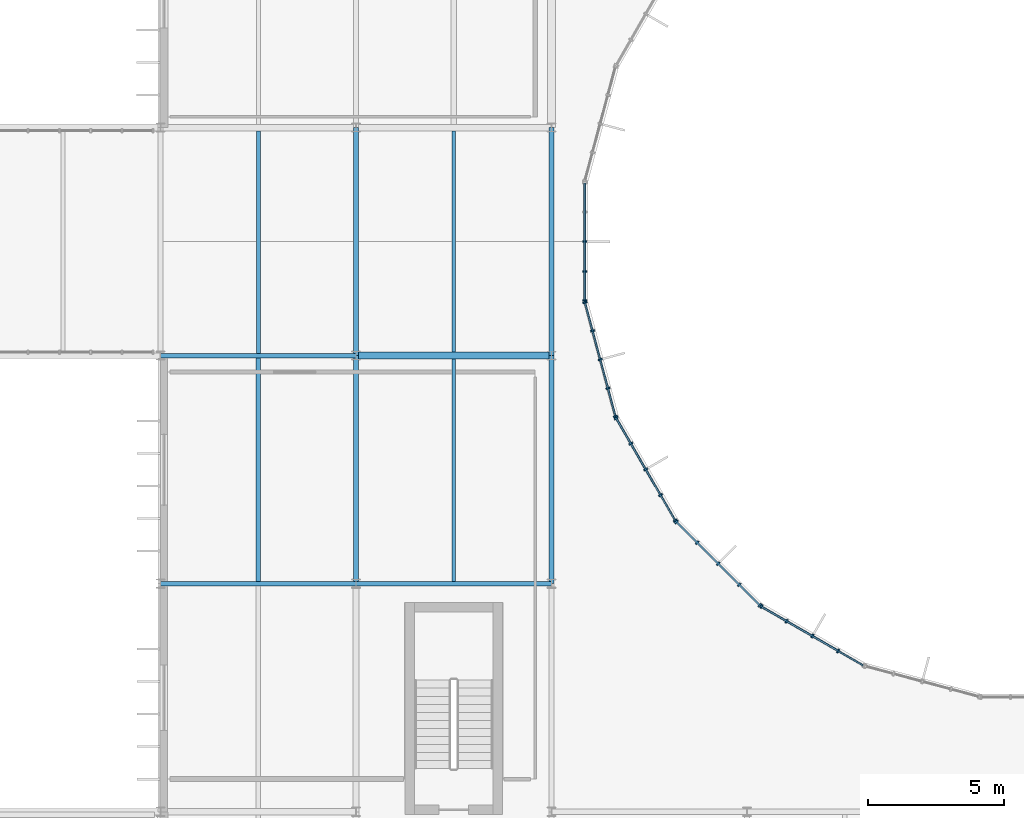
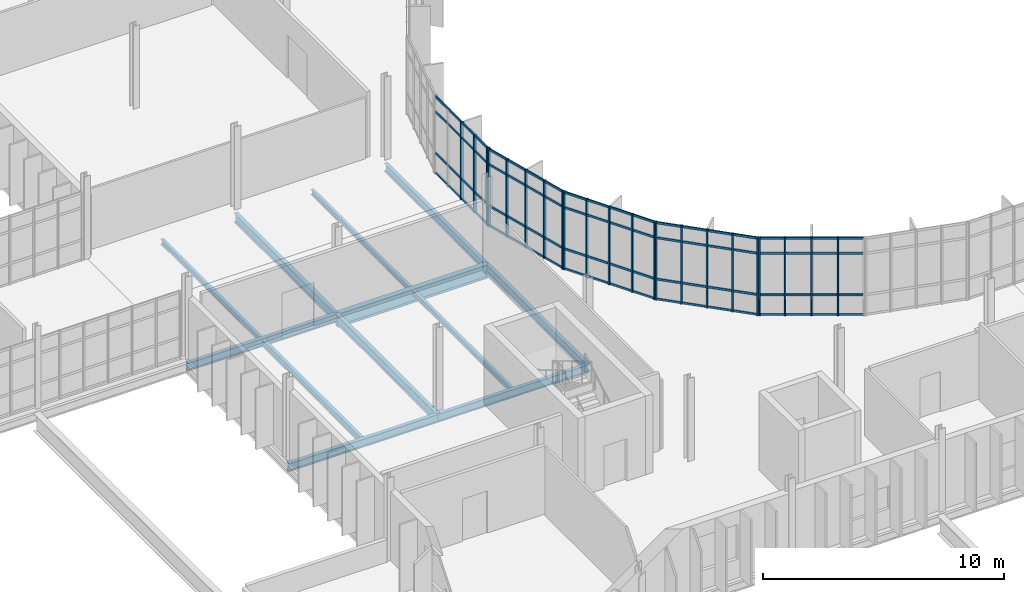
# One storey, part 36 of 99: 42 members, 12 beams, 5 elements without a shape of their own.
"""IFC4 building model written with IfcOpenShell, lengths in metres."""

from ifc_helpers import new_model, si_unit, direction, frame, origin, origin_2d, place, context, subcontext, project, spatial, rectangle, i_section, extrude, material, material_profile, profile_set, type_object, element, aggregate, save


model = new_model("IFC4")

# Units and contexts
model_context = context("Model", 3, precision=1e-05, world=origin(), true_north=direction((0.0, 1.0)))
body_context = subcontext(model_context, "Body", "Model", "MODEL_VIEW")
ifc_project = project(units=[si_unit("LENGTHUNIT", "METRE"), si_unit("AREAUNIT", "SQUARE_METRE"), si_unit("VOLUMEUNIT", "CUBIC_METRE"), si_unit("PLANEANGLEUNIT", "RADIAN"), si_unit("MASSUNIT", "GRAM", prefix="KILO")], contexts=[model_context])

# Site, building, storey
site_placement = place(None, origin())
site = spatial("IfcSite", under=ifc_project, at=site_placement, CompositionType="ELEMENT")
building_placement = place(site_placement, origin())
building = spatial("IfcBuilding", under=site, at=building_placement, Name="Qelthora Terrace Specialist Clinic", CompositionType="ELEMENT")
storey_placement = place(building_placement, frame((0.0, 0.0, 9.0)))
storey = spatial("IfcBuildingStorey", under=building, at=storey_placement, Name="L02", CompositionType="ELEMENT", Elevation=9.0)

# Beams
ifc_material_1 = material(Name="Steel S355", Category="steel")
ifc_material_profile_1 = material_profile(ifc_material_1, i_section(OverallWidth=0.178955078125, OverallDepth=0.409912109375, WebThickness=0.0087890625, FlangeThickness=0.014404296875, FilletRadius=0.011962890625, at=origin_2d()), Name="W410X67")
ifc_profile_set_1 = profile_set([ifc_material_profile_1], Name="Steel S355")
beam_type_1 = type_object("IfcBeamType", Name="BM-W410X67", PredefinedType="BEAM", material=ifc_profile_set_1)
for number, where, z_axis, x_axis, name in (
    (1, (100.800048828125, 50.39990234375, -0.455078125), (1.0, 0.0, 0.0), (0.0, 1.0, 0.0), "Girder BMX-L02-0628"),
    (2, (93.60009765625, 58.800048828125, -0.455078125), (1.0, 0.0, 0.0), (0.0, 1.0, 0.0), "Girder BMX-L02-0644"),
):
    element("IfcBeam", number, at=place(storey_placement, frame(where, z_axis=z_axis, x_axis=x_axis)), inside=storey, type_object=beam_type_1, Name=name, PredefinedType="BEAM", context=body_context, shape_type="SweptSolid", body=[
        extrude(i_section(OverallWidth=0.178955078125, OverallDepth=0.409912109375, WebThickness=0.0087890625, FlangeThickness=0.014404296875, FilletRadius=0.011962890625, at=origin_2d()), origin(), (0.0, 0.0, 1.0), 7.199951171875),
    ])
beam_1_placement = place(storey_placement, frame((108.0, 58.800048828125, -0.455078125), z_axis=(0.0, 1.0, 0.0), x_axis=(-1.0, 0.0, 0.0)))
element("IfcBeam", 3, at=beam_1_placement, inside=storey, type_object=beam_type_1, Name="Girder BMY-L02-0860", PredefinedType="BEAM", context=body_context, shape_type="SweptSolid", body=[
    extrude(i_section(OverallWidth=0.178955078125, OverallDepth=0.409912109375, WebThickness=0.0087890625, FlangeThickness=0.014404296875, FilletRadius=0.011962890625, at=origin_2d()), origin(), (0.0, 0.0, 1.0), 8.39990234375),
])
ifc_material_profile_2 = material_profile(ifc_material_1, i_section(OverallWidth=0.179931640625, OverallDepth=0.4130859375, WebThickness=0.009765625, FlangeThickness=0.01611328125, FilletRadius=0.011962890625, at=origin_2d()), Name="W410X75")
ifc_profile_set_2 = profile_set([ifc_material_profile_2], Name="Steel S355")
beam_type_2 = type_object("IfcBeamType", Name="BM-W410X75", PredefinedType="BEAM", material=ifc_profile_set_2)
beam_2_placement = place(storey_placement, frame((93.60009765625, 50.39990234375, -0.45654296875), z_axis=(1.0, 0.0, 0.0), x_axis=(0.0, 1.0, 0.0)))
element("IfcBeam", 4, at=beam_2_placement, inside=storey, type_object=beam_type_2, Name="Girder BMX-L02-0627", PredefinedType="BEAM", context=body_context, shape_type="SweptSolid", body=[
    extrude(i_section(OverallWidth=0.179931640625, OverallDepth=0.4130859375, WebThickness=0.009765625, FlangeThickness=0.01611328125, FilletRadius=0.011962890625, at=origin_2d()), origin(), (0.0, 0.0, 1.0), 7.199951171875),
])
beam_3_placement = place(storey_placement, frame((108.0, 50.39990234375, -0.45654296875), z_axis=(0.0, 1.0, 0.0), x_axis=(-1.0, 0.0, 0.0)))
element("IfcBeam", 5, at=beam_3_placement, inside=storey, type_object=beam_type_2, Name="Girder BMY-L02-0859", PredefinedType="BEAM", context=body_context, shape_type="SweptSolid", body=[
    extrude(i_section(OverallWidth=0.179931640625, OverallDepth=0.4130859375, WebThickness=0.009765625, FlangeThickness=0.01611328125, FilletRadius=0.011962890625, at=origin_2d()), origin(), (0.0, 0.0, 1.0), 8.400146484375),
])
ifc_material_profile_3 = material_profile(ifc_material_1, i_section(OverallWidth=0.19091796875, OverallDepth=0.4599609375, WebThickness=0.010009765625, FlangeThickness=0.01611328125, FilletRadius=0.012939453125, at=origin_2d()), Name="W460X82")
ifc_profile_set_3 = profile_set([ifc_material_profile_3], Name="Steel S355")
beam_type_3 = type_object("IfcBeamType", Name="BM-W460X82", PredefinedType="BEAM", material=ifc_profile_set_3)
beam_4_placement = place(storey_placement, frame((100.800048828125, 58.800048828125, -0.47998046875), z_axis=(0.0, 1.0, 0.0), x_axis=(-1.0, 0.0, 0.0)))
element("IfcBeam", 6, at=beam_4_placement, inside=storey, type_object=beam_type_3, Name="Girder BMY-L02-0848", PredefinedType="BEAM", context=body_context, shape_type="SweptSolid", body=[
    extrude(i_section(OverallWidth=0.19091796875, OverallDepth=0.4599609375, WebThickness=0.010009765625, FlangeThickness=0.01611328125, FilletRadius=0.012939453125, at=origin_2d()), origin(), (0.0, 0.0, 1.0), 8.39990234375),
])
ifc_material_profile_4 = material_profile(ifc_material_1, i_section(OverallWidth=0.193115234375, OverallDepth=0.466064453125, WebThickness=0.011474609375, FlangeThickness=0.01904296875, FilletRadius=0.012939453125, at=origin_2d()), Name="W460X97")
ifc_profile_set_4 = profile_set([ifc_material_profile_4], Name="Steel S355")
beam_type_4 = type_object("IfcBeamType", Name="BM-W460X97", PredefinedType="BEAM", material=ifc_profile_set_4)
beam_5_placement = place(storey_placement, frame((100.800048828125, 50.39990234375, -0.48291015625), z_axis=(0.0, 1.0, 0.0), x_axis=(-1.0, 0.0, 0.0)))
element("IfcBeam", 7, at=beam_5_placement, inside=storey, type_object=beam_type_4, Name="Girder BMY-L02-0847", PredefinedType="BEAM", context=body_context, shape_type="SweptSolid", body=[
    extrude(i_section(OverallWidth=0.193115234375, OverallDepth=0.466064453125, WebThickness=0.011474609375, FlangeThickness=0.01904296875, FilletRadius=0.012939453125, at=origin_2d()), origin(), (0.0, 0.0, 1.0), 8.400146484375),
])
ifc_material_profile_5 = material_profile(ifc_material_1, i_section(OverallWidth=0.256103515625, OverallDepth=0.693115234375, WebThickness=0.014404296875, FlangeThickness=0.023681640625, FilletRadius=0.01806640625, at=origin_2d()), Name="W690X170")
ifc_profile_set_5 = profile_set([ifc_material_profile_5], Name="Steel S355")
beam_type_5 = type_object("IfcBeamType", Name="BM-W690X170", PredefinedType="BEAM", material=ifc_profile_set_5)
beam_6_placement = place(storey_placement, frame((100.800048828125, 58.800048828125, -0.596435546875), z_axis=(1.0, 0.0, 0.0), x_axis=(0.0, 1.0, 0.0)))
element("IfcBeam", 8, at=beam_6_placement, inside=storey, type_object=beam_type_5, Name="Girder BMX-L02-0645", PredefinedType="BEAM", context=body_context, shape_type="SweptSolid", body=[
    extrude(i_section(OverallWidth=0.256103515625, OverallDepth=0.693115234375, WebThickness=0.014404296875, FlangeThickness=0.023681640625, FilletRadius=0.01806640625, at=origin_2d()), origin(), (0.0, 0.0, 1.0), 7.199951171875),
])

# Curtain wall, members
ifc_material_2 = material(Name="Aluminium anodized bronze", Category="aluminium")
curtain_wall_type = type_object("IfcCurtainWallType", Name="CW-CRTE-UPP", PredefinedType="NOTDEFINED", material=ifc_material_2)
curtain_wall_1_placement = place(storey_placement, origin())
curtain_wall_1 = element("IfcCurtainWall", 9, at=curtain_wall_1_placement, inside=storey, type_object=curtain_wall_type, Name="Curtain wall CW-CE-L02-12", PredefinedType="NOTDEFINED")
ifc_material_profile_6 = material_profile(ifc_material_2, rectangle(XDim=0.06005859375, YDim=0.14990234375, at=origin_2d()), Name="CWM60X150")
ifc_profile_set_6 = profile_set([ifc_material_profile_6], Name="Aluminium anodized bronze")
member_type_1 = type_object("IfcMemberType", Name="CWM-60X150", PredefinedType="MULLION", material=ifc_profile_set_6)
member_1_placement = place(storey_placement, frame((109.2236328125, 63.0, 0.0), z_axis=(0.0, 0.0, 1.0), x_axis=(0.0, -1.0, 0.0)))
member_1 = element("IfcMember", 10, at=member_1_placement, type_object=member_type_1, Name="CW-CE-L02-12 mullion 3", PredefinedType="MULLION", context=body_context, shape_type="SweptSolid", body=[
    extrude(rectangle(XDim=0.06005859375, YDim=0.14990234375, at=origin_2d()), origin(), (0.0, 0.0, 1.0), 3.945068359375),
])
member_2_placement = place(storey_placement, frame((109.2236328125, 61.903564453125, 0.0), z_axis=(0.0, 0.0, 1.0), x_axis=(0.0, -1.0, 0.0)))
member_2 = element("IfcMember", 11, at=member_2_placement, type_object=member_type_1, Name="CW-CE-L02-12 mullion 4", PredefinedType="MULLION", context=body_context, shape_type="SweptSolid", body=[
    extrude(rectangle(XDim=0.06005859375, YDim=0.14990234375, at=origin_2d()), origin(), (0.0, 0.0, 1.0), 3.945068359375),
])
member_3_placement = place(storey_placement, frame((109.2236328125, 60.8271484375, 0.0), z_axis=(0.0, 0.0, 1.0), x_axis=(0.0, -1.0, 0.0)))
member_3 = element("IfcMember", 12, at=member_3_placement, type_object=member_type_1, Name="CW-CE-L02-12 mullion 5", PredefinedType="MULLION", context=body_context, shape_type="SweptSolid", body=[
    extrude(rectangle(XDim=0.06005859375, YDim=0.14990234375, at=origin_2d()), origin(), (0.0, 0.0, 1.0), 3.945068359375),
])

curtain_wall_2_placement = place(storey_placement, origin())
curtain_wall_2 = element("IfcCurtainWall", 13, at=curtain_wall_2_placement, inside=storey, type_object=curtain_wall_type, Name="Curtain wall CW-CE-L02-13", PredefinedType="NOTDEFINED")
member_4_placement = place(storey_placement, frame((109.23291015625, 60.7568359375, 0.0), z_axis=(0.0, 0.0, 1.0), x_axis=(0.258819664824, -0.965925660235, 0.0)))
member_4 = element("IfcMember", 14, at=member_4_placement, type_object=member_type_1, Name="CW-CE-L02-13 mullion 1", PredefinedType="MULLION", context=body_context, shape_type="SweptSolid", body=[
    extrude(rectangle(XDim=0.06005859375, YDim=0.14990234375, at=origin_2d()), origin(), (0.0, 0.0, 1.0), 3.945068359375),
])
member_5_placement = place(storey_placement, frame((109.511474609375, 59.717041015625, 0.0), z_axis=(0.0, 0.0, 1.0), x_axis=(0.258819664824, -0.965925660235, 0.0)))
member_5 = element("IfcMember", 15, at=member_5_placement, type_object=member_type_1, Name="CW-CE-L02-13 mullion 2", PredefinedType="MULLION", context=body_context, shape_type="SweptSolid", body=[
    extrude(rectangle(XDim=0.06005859375, YDim=0.14990234375, at=origin_2d()), origin(), (0.0, 0.0, 1.0), 3.945068359375),
])
member_6_placement = place(storey_placement, frame((109.79541015625, 58.657958984375, 0.0), z_axis=(0.0, 0.0, 1.0), x_axis=(0.258819664824, -0.965925660235, 0.0)))
member_6 = element("IfcMember", 16, at=member_6_placement, type_object=member_type_1, Name="CW-CE-L02-13 mullion 3", PredefinedType="MULLION", context=body_context, shape_type="SweptSolid", body=[
    extrude(rectangle(XDim=0.06005859375, YDim=0.14990234375, at=origin_2d()), origin(), (0.0, 0.0, 1.0), 3.945068359375),
])
member_7_placement = place(storey_placement, frame((110.0791015625, 57.598876953125, 0.0), z_axis=(0.0, 0.0, 1.0), x_axis=(0.258819664824, -0.965925660235, 0.0)))
member_7 = element("IfcMember", 17, at=member_7_placement, type_object=member_type_1, Name="CW-CE-L02-13 mullion 4", PredefinedType="MULLION", context=body_context, shape_type="SweptSolid", body=[
    extrude(rectangle(XDim=0.06005859375, YDim=0.14990234375, at=origin_2d()), origin(), (0.0, 0.0, 1.0), 3.945068359375),
])
member_8_placement = place(storey_placement, frame((110.357666015625, 56.55908203125, 0.0), z_axis=(0.0, 0.0, 1.0), x_axis=(0.258819664824, -0.965925660235, 0.0)))
member_8 = element("IfcMember", 18, at=member_8_placement, type_object=member_type_1, Name="CW-CE-L02-13 mullion 5", PredefinedType="MULLION", context=body_context, shape_type="SweptSolid", body=[
    extrude(rectangle(XDim=0.06005859375, YDim=0.14990234375, at=origin_2d()), origin(), (0.0, 0.0, 1.0), 3.945068359375),
])

curtain_wall_3_placement = place(storey_placement, origin())
curtain_wall_3 = element("IfcCurtainWall", 19, at=curtain_wall_3_placement, inside=storey, type_object=curtain_wall_type, Name="Curtain wall CW-CE-L02-14", PredefinedType="NOTDEFINED")
member_9_placement = place(storey_placement, frame((110.385009765625, 56.49365234375, 0.0), z_axis=(0.0, 0.0, 1.0), x_axis=(0.500000028915, -0.86602538709, 0.0)))
member_9 = element("IfcMember", 20, at=member_9_placement, type_object=member_type_1, Name="CW-CE-L02-14 mullion 1", PredefinedType="MULLION", context=body_context, shape_type="SweptSolid", body=[
    extrude(rectangle(XDim=0.06005859375, YDim=0.14990234375, at=origin_2d()), origin(), (0.0, 0.0, 1.0), 3.945068359375),
])
member_10_placement = place(storey_placement, frame((110.923095703125, 55.561279296875, 0.0), z_axis=(0.0, 0.0, 1.0), x_axis=(0.500000028915, -0.86602538709, 0.0)))
member_10 = element("IfcMember", 21, at=member_10_placement, type_object=member_type_1, Name="CW-CE-L02-14 mullion 2", PredefinedType="MULLION", context=body_context, shape_type="SweptSolid", body=[
    extrude(rectangle(XDim=0.06005859375, YDim=0.14990234375, at=origin_2d()), origin(), (0.0, 0.0, 1.0), 3.945068359375),
])
member_11_placement = place(storey_placement, frame((111.471435546875, 54.61181640625, 0.0), z_axis=(0.0, 0.0, 1.0), x_axis=(0.500000028915, -0.86602538709, 0.0)))
member_11 = element("IfcMember", 22, at=member_11_placement, type_object=member_type_1, Name="CW-CE-L02-14 mullion 3", PredefinedType="MULLION", context=body_context, shape_type="SweptSolid", body=[
    extrude(rectangle(XDim=0.06005859375, YDim=0.14990234375, at=origin_2d()), origin(), (0.0, 0.0, 1.0), 3.945068359375),
])
member_12_placement = place(storey_placement, frame((112.01953125, 53.662353515625, 0.0), z_axis=(0.0, 0.0, 1.0), x_axis=(0.500000028915, -0.86602538709, 0.0)))
member_12 = element("IfcMember", 23, at=member_12_placement, type_object=member_type_1, Name="CW-CE-L02-14 mullion 4", PredefinedType="MULLION", context=body_context, shape_type="SweptSolid", body=[
    extrude(rectangle(XDim=0.06005859375, YDim=0.14990234375, at=origin_2d()), origin(), (0.0, 0.0, 1.0), 3.945068359375),
])
member_13_placement = place(storey_placement, frame((112.557861328125, 52.730224609375, 0.0), z_axis=(0.0, 0.0, 1.0), x_axis=(0.500000028915, -0.86602538709, 0.0)))
member_13 = element("IfcMember", 24, at=member_13_placement, type_object=member_type_1, Name="CW-CE-L02-14 mullion 5", PredefinedType="MULLION", context=body_context, shape_type="SweptSolid", body=[
    extrude(rectangle(XDim=0.06005859375, YDim=0.14990234375, at=origin_2d()), origin(), (0.0, 0.0, 1.0), 3.945068359375),
])

curtain_wall_4_placement = place(storey_placement, origin())
curtain_wall_4 = element("IfcCurtainWall", 25, at=curtain_wall_4_placement, inside=storey, type_object=curtain_wall_type, Name="Curtain wall CW-CE-L02-15", PredefinedType="NOTDEFINED")
member_14_placement = place(storey_placement, frame((112.600830078125, 52.673828125, 0.0), z_axis=(0.0, 0.0, 1.0), x_axis=(0.707106781187, -0.707106781187, 0.0)))
member_14 = element("IfcMember", 26, at=member_14_placement, type_object=member_type_1, Name="CW-CE-L02-15 mullion 1", PredefinedType="MULLION", context=body_context, shape_type="SweptSolid", body=[
    extrude(rectangle(XDim=0.06005859375, YDim=0.14990234375, at=origin_2d()), origin(), (0.0, 0.0, 1.0), 3.945068359375),
])
member_15_placement = place(storey_placement, frame((113.362060546875, 51.91259765625, 0.0), z_axis=(0.0, 0.0, 1.0), x_axis=(0.707106781187, -0.707106781187, 0.0)))
member_15 = element("IfcMember", 27, at=member_15_placement, type_object=member_type_1, Name="CW-CE-L02-15 mullion 2", PredefinedType="MULLION", context=body_context, shape_type="SweptSolid", body=[
    extrude(rectangle(XDim=0.06005859375, YDim=0.14990234375, at=origin_2d()), origin(), (0.0, 0.0, 1.0), 3.945068359375),
])
member_16_placement = place(storey_placement, frame((114.137451171875, 51.137451171875, 0.0), z_axis=(0.0, 0.0, 1.0), x_axis=(0.707106781187, -0.707106781187, 0.0)))
member_16 = element("IfcMember", 28, at=member_16_placement, type_object=member_type_1, Name="CW-CE-L02-15 mullion 3", PredefinedType="MULLION", context=body_context, shape_type="SweptSolid", body=[
    extrude(rectangle(XDim=0.06005859375, YDim=0.14990234375, at=origin_2d()), origin(), (0.0, 0.0, 1.0), 3.945068359375),
])
member_17_placement = place(storey_placement, frame((114.91259765625, 50.362060546875, 0.0), z_axis=(0.0, 0.0, 1.0), x_axis=(0.707106781187, -0.707106781187, 0.0)))
member_17 = element("IfcMember", 29, at=member_17_placement, type_object=member_type_1, Name="CW-CE-L02-15 mullion 4", PredefinedType="MULLION", context=body_context, shape_type="SweptSolid", body=[
    extrude(rectangle(XDim=0.06005859375, YDim=0.14990234375, at=origin_2d()), origin(), (0.0, 0.0, 1.0), 3.945068359375),
])
member_18_placement = place(storey_placement, frame((115.673828125, 49.600830078125, 0.0), z_axis=(0.0, 0.0, 1.0), x_axis=(0.707106781187, -0.707106781187, 0.0)))
member_18 = element("IfcMember", 30, at=member_18_placement, type_object=member_type_1, Name="CW-CE-L02-15 mullion 5", PredefinedType="MULLION", context=body_context, shape_type="SweptSolid", body=[
    extrude(rectangle(XDim=0.06005859375, YDim=0.14990234375, at=origin_2d()), origin(), (0.0, 0.0, 1.0), 3.945068359375),
])

curtain_wall_5_placement = place(storey_placement, origin())
curtain_wall_5 = element("IfcCurtainWall", 31, at=curtain_wall_5_placement, inside=storey, type_object=curtain_wall_type, Name="Curtain wall CW-CE-L02-16", PredefinedType="NOTDEFINED")
member_19_placement = place(storey_placement, frame((115.730224609375, 49.557861328125, 0.0), z_axis=(0.0, 0.0, 1.0), x_axis=(0.86602538709, -0.500000028915, 0.0)))
member_19 = element("IfcMember", 32, at=member_19_placement, type_object=member_type_1, Name="CW-CE-L02-16 mullion 1", PredefinedType="MULLION", context=body_context, shape_type="SweptSolid", body=[
    extrude(rectangle(XDim=0.06005859375, YDim=0.14990234375, at=origin_2d()), origin(), (0.0, 0.0, 1.0), 3.945068359375),
])
member_20_placement = place(storey_placement, frame((116.662353515625, 49.01953125, 0.0), z_axis=(0.0, 0.0, 1.0), x_axis=(0.86602538709, -0.500000028915, 0.0)))
member_20 = element("IfcMember", 33, at=member_20_placement, type_object=member_type_1, Name="CW-CE-L02-16 mullion 2", PredefinedType="MULLION", context=body_context, shape_type="SweptSolid", body=[
    extrude(rectangle(XDim=0.06005859375, YDim=0.14990234375, at=origin_2d()), origin(), (0.0, 0.0, 1.0), 3.945068359375),
])
member_21_placement = place(storey_placement, frame((117.61181640625, 48.471435546875, 0.0), z_axis=(0.0, 0.0, 1.0), x_axis=(0.86602538709, -0.500000028915, 0.0)))
member_21 = element("IfcMember", 34, at=member_21_placement, type_object=member_type_1, Name="CW-CE-L02-16 mullion 3", PredefinedType="MULLION", context=body_context, shape_type="SweptSolid", body=[
    extrude(rectangle(XDim=0.06005859375, YDim=0.14990234375, at=origin_2d()), origin(), (0.0, 0.0, 1.0), 3.945068359375),
])
member_22_placement = place(storey_placement, frame((118.561279296875, 47.923095703125, 0.0), z_axis=(0.0, 0.0, 1.0), x_axis=(0.86602538709, -0.500000028915, 0.0)))
member_22 = element("IfcMember", 35, at=member_22_placement, type_object=member_type_1, Name="CW-CE-L02-16 mullion 4", PredefinedType="MULLION", context=body_context, shape_type="SweptSolid", body=[
    extrude(rectangle(XDim=0.06005859375, YDim=0.14990234375, at=origin_2d()), origin(), (0.0, 0.0, 1.0), 3.945068359375),
])

# Member
ifc_material_profile_7 = material_profile(ifc_material_2, rectangle(XDim=0.06005859375, YDim=0.110107421875, at=origin_2d()), Name="CWT60X110")
ifc_profile_set_7 = profile_set([ifc_material_profile_7], Name="Aluminium anodized bronze")
member_type_2 = type_object("IfcMemberType", Name="CWT-60X110", PredefinedType="USERDEFINED", material=ifc_profile_set_7)
member_23_placement = place(storey_placement, frame((109.2236328125, 65.15283203125, 0.0400390625), z_axis=(0.0, -1.0, 0.0), x_axis=(1.0, 0.0, 0.0)))
member_23 = element("IfcMember", 36, at=member_23_placement, type_object=member_type_2, Name="CW-CE-L02-12 transom 1", ObjectType="TRANSOM", PredefinedType="USERDEFINED", context=body_context, shape_type="SweptSolid", body=[
    extrude(rectangle(XDim=0.06005859375, YDim=0.110107421875, at=origin_2d()), origin(), (0.0, 0.0, 1.0), 4.3056640625),
])

member_24_placement = place(storey_placement, frame((109.2236328125, 65.15283203125, 1.050048828125), z_axis=(0.0, -1.0, 0.0), x_axis=(1.0, 0.0, 0.0)))
member_24 = element("IfcMember", 37, at=member_24_placement, type_object=member_type_2, Name="CW-CE-L02-12 transom 2", ObjectType="TRANSOM", PredefinedType="USERDEFINED", context=body_context, shape_type="SweptSolid", body=[
    extrude(rectangle(XDim=0.06005859375, YDim=0.110107421875, at=origin_2d()), origin(), (0.0, 0.0, 1.0), 4.3056640625),
])

member_25_placement = place(storey_placement, frame((109.2236328125, 65.15283203125, 3.14501953125), z_axis=(0.0, -1.0, 0.0), x_axis=(1.0, 0.0, 0.0)))
member_25 = element("IfcMember", 38, at=member_25_placement, type_object=member_type_2, Name="CW-CE-L02-12 transom 3", ObjectType="TRANSOM", PredefinedType="USERDEFINED", context=body_context, shape_type="SweptSolid", body=[
    extrude(rectangle(XDim=0.06005859375, YDim=0.110107421875, at=origin_2d()), origin(), (0.0, 0.0, 1.0), 4.3056640625),
])

member_26_placement = place(storey_placement, frame((109.2236328125, 65.15283203125, 3.905029296875), z_axis=(0.0, -1.0, 0.0), x_axis=(1.0, 0.0, 0.0)))
member_26 = element("IfcMember", 39, at=member_26_placement, type_object=member_type_2, Name="CW-CE-L02-12 transom 4", ObjectType="TRANSOM", PredefinedType="USERDEFINED", context=body_context, shape_type="SweptSolid", body=[
    extrude(rectangle(XDim=0.06005859375, YDim=0.110107421875, at=origin_2d()), origin(), (0.0, 0.0, 1.0), 4.3056640625),
])

aggregate(curtain_wall_1, [member_1, member_2, member_3, member_23, member_24, member_25, member_26])

member_27_placement = place(storey_placement, frame((109.23828125, 60.737548828125, 0.0400390625), z_axis=(0.25879182601, -0.965933119212, 0.0), x_axis=(0.965933119212, 0.25879182601, 0.0)))
member_27 = element("IfcMember", 40, at=member_27_placement, type_object=member_type_2, Name="CW-CE-L02-13 transom 1", ObjectType="TRANSOM", PredefinedType="USERDEFINED", context=body_context, shape_type="SweptSolid", body=[
    extrude(rectangle(XDim=0.06005859375, YDim=0.110107421875, at=origin_2d()), origin(), (0.0, 0.0, 1.0), 4.3056640625),
])

member_28_placement = place(storey_placement, frame((109.23828125, 60.737548828125, 1.050048828125), z_axis=(0.25879182601, -0.965933119212, 0.0), x_axis=(0.965933119212, 0.25879182601, 0.0)))
member_28 = element("IfcMember", 41, at=member_28_placement, type_object=member_type_2, Name="CW-CE-L02-13 transom 2", ObjectType="TRANSOM", PredefinedType="USERDEFINED", context=body_context, shape_type="SweptSolid", body=[
    extrude(rectangle(XDim=0.06005859375, YDim=0.110107421875, at=origin_2d()), origin(), (0.0, 0.0, 1.0), 4.3056640625),
])

member_29_placement = place(storey_placement, frame((109.23828125, 60.737548828125, 3.14501953125), z_axis=(0.25879182601, -0.965933119212, 0.0), x_axis=(0.965933119212, 0.25879182601, 0.0)))
member_29 = element("IfcMember", 42, at=member_29_placement, type_object=member_type_2, Name="CW-CE-L02-13 transom 3", ObjectType="TRANSOM", PredefinedType="USERDEFINED", context=body_context, shape_type="SweptSolid", body=[
    extrude(rectangle(XDim=0.06005859375, YDim=0.110107421875, at=origin_2d()), origin(), (0.0, 0.0, 1.0), 4.3056640625),
])

member_30_placement = place(storey_placement, frame((109.23828125, 60.737548828125, 3.905029296875), z_axis=(0.25879182601, -0.965933119212, 0.0), x_axis=(0.965933119212, 0.25879182601, 0.0)))
member_30 = element("IfcMember", 43, at=member_30_placement, type_object=member_type_2, Name="CW-CE-L02-13 transom 4", ObjectType="TRANSOM", PredefinedType="USERDEFINED", context=body_context, shape_type="SweptSolid", body=[
    extrude(rectangle(XDim=0.06005859375, YDim=0.110107421875, at=origin_2d()), origin(), (0.0, 0.0, 1.0), 4.3056640625),
])

aggregate(curtain_wall_2, [member_4, member_5, member_6, member_7, member_8, member_27, member_28, member_29, member_30])

member_31_placement = place(storey_placement, frame((110.39501953125, 56.476318359375, 0.0400390625), z_axis=(0.500005500391, -0.866022228109, 0.0), x_axis=(0.866022228109, 0.500005500391, 0.0)))
member_31 = element("IfcMember", 44, at=member_31_placement, type_object=member_type_2, Name="CW-CE-L02-14 transom 1", ObjectType="TRANSOM", PredefinedType="USERDEFINED", context=body_context, shape_type="SweptSolid", body=[
    extrude(rectangle(XDim=0.06005859375, YDim=0.110107421875, at=origin_2d()), origin(), (0.0, 0.0, 1.0), 4.3056640625),
])

member_32_placement = place(storey_placement, frame((110.39501953125, 56.476318359375, 1.050048828125), z_axis=(0.500005500391, -0.866022228109, 0.0), x_axis=(0.866022228109, 0.500005500391, 0.0)))
member_32 = element("IfcMember", 45, at=member_32_placement, type_object=member_type_2, Name="CW-CE-L02-14 transom 2", ObjectType="TRANSOM", PredefinedType="USERDEFINED", context=body_context, shape_type="SweptSolid", body=[
    extrude(rectangle(XDim=0.06005859375, YDim=0.110107421875, at=origin_2d()), origin(), (0.0, 0.0, 1.0), 4.3056640625),
])

member_33_placement = place(storey_placement, frame((110.39501953125, 56.476318359375, 3.14501953125), z_axis=(0.500005500391, -0.866022228109, 0.0), x_axis=(0.866022228109, 0.500005500391, 0.0)))
member_33 = element("IfcMember", 46, at=member_33_placement, type_object=member_type_2, Name="CW-CE-L02-14 transom 3", ObjectType="TRANSOM", PredefinedType="USERDEFINED", context=body_context, shape_type="SweptSolid", body=[
    extrude(rectangle(XDim=0.06005859375, YDim=0.110107421875, at=origin_2d()), origin(), (0.0, 0.0, 1.0), 4.3056640625),
])

member_34_placement = place(storey_placement, frame((110.39501953125, 56.476318359375, 3.905029296875), z_axis=(0.500005500391, -0.866022228109, 0.0), x_axis=(0.866022228109, 0.500005500391, 0.0)))
member_34 = element("IfcMember", 47, at=member_34_placement, type_object=member_type_2, Name="CW-CE-L02-14 transom 4", ObjectType="TRANSOM", PredefinedType="USERDEFINED", context=body_context, shape_type="SweptSolid", body=[
    extrude(rectangle(XDim=0.06005859375, YDim=0.110107421875, at=origin_2d()), origin(), (0.0, 0.0, 1.0), 4.3056640625),
])

aggregate(curtain_wall_3, [member_9, member_10, member_11, member_12, member_13, member_31, member_32, member_33, member_34])

member_35_placement = place(storey_placement, frame((112.614990234375, 52.65966796875, 0.0400390625), z_axis=(0.707106781187, -0.707106781187, 0.0), x_axis=(0.707106781187, 0.707106781187, 0.0)))
member_35 = element("IfcMember", 48, at=member_35_placement, type_object=member_type_2, Name="CW-CE-L02-15 transom 1", ObjectType="TRANSOM", PredefinedType="USERDEFINED", context=body_context, shape_type="SweptSolid", body=[
    extrude(rectangle(XDim=0.06005859375, YDim=0.110107421875, at=origin_2d()), origin(), (0.0, 0.0, 1.0), 4.305908203125),
])

member_36_placement = place(storey_placement, frame((112.614990234375, 52.65966796875, 1.050048828125), z_axis=(0.707106781187, -0.707106781187, 0.0), x_axis=(0.707106781187, 0.707106781187, 0.0)))
member_36 = element("IfcMember", 49, at=member_36_placement, type_object=member_type_2, Name="CW-CE-L02-15 transom 2", ObjectType="TRANSOM", PredefinedType="USERDEFINED", context=body_context, shape_type="SweptSolid", body=[
    extrude(rectangle(XDim=0.06005859375, YDim=0.110107421875, at=origin_2d()), origin(), (0.0, 0.0, 1.0), 4.305908203125),
])

member_37_placement = place(storey_placement, frame((112.614990234375, 52.65966796875, 3.14501953125), z_axis=(0.707106781187, -0.707106781187, 0.0), x_axis=(0.707106781187, 0.707106781187, 0.0)))
member_37 = element("IfcMember", 50, at=member_37_placement, type_object=member_type_2, Name="CW-CE-L02-15 transom 3", ObjectType="TRANSOM", PredefinedType="USERDEFINED", context=body_context, shape_type="SweptSolid", body=[
    extrude(rectangle(XDim=0.06005859375, YDim=0.110107421875, at=origin_2d()), origin(), (0.0, 0.0, 1.0), 4.305908203125),
])

member_38_placement = place(storey_placement, frame((112.614990234375, 52.65966796875, 3.905029296875), z_axis=(0.707106781187, -0.707106781187, 0.0), x_axis=(0.707106781187, 0.707106781187, 0.0)))
member_38 = element("IfcMember", 51, at=member_38_placement, type_object=member_type_2, Name="CW-CE-L02-15 transom 4", ObjectType="TRANSOM", PredefinedType="USERDEFINED", context=body_context, shape_type="SweptSolid", body=[
    extrude(rectangle(XDim=0.06005859375, YDim=0.110107421875, at=origin_2d()), origin(), (0.0, 0.0, 1.0), 4.305908203125),
])

aggregate(curtain_wall_4, [member_14, member_15, member_16, member_17, member_18, member_35, member_36, member_37, member_38])

member_39_placement = place(storey_placement, frame((115.74755859375, 49.5478515625, 0.0400390625), z_axis=(0.866022228109, -0.500005500391, 0.0), x_axis=(0.500005500391, 0.866022228109, 0.0)))
member_39 = element("IfcMember", 52, at=member_39_placement, type_object=member_type_2, Name="CW-CE-L02-16 transom 1", ObjectType="TRANSOM", PredefinedType="USERDEFINED", context=body_context, shape_type="SweptSolid", body=[
    extrude(rectangle(XDim=0.06005859375, YDim=0.110107421875, at=origin_2d()), origin(), (0.0, 0.0, 1.0), 4.3056640625),
])

member_40_placement = place(storey_placement, frame((115.74755859375, 49.5478515625, 1.050048828125), z_axis=(0.866022228109, -0.500005500391, 0.0), x_axis=(0.500005500391, 0.866022228109, 0.0)))
member_40 = element("IfcMember", 53, at=member_40_placement, type_object=member_type_2, Name="CW-CE-L02-16 transom 2", ObjectType="TRANSOM", PredefinedType="USERDEFINED", context=body_context, shape_type="SweptSolid", body=[
    extrude(rectangle(XDim=0.06005859375, YDim=0.110107421875, at=origin_2d()), origin(), (0.0, 0.0, 1.0), 4.3056640625),
])

member_41_placement = place(storey_placement, frame((115.74755859375, 49.5478515625, 3.14501953125), z_axis=(0.866022228109, -0.500005500391, 0.0), x_axis=(0.500005500391, 0.866022228109, 0.0)))
member_41 = element("IfcMember", 54, at=member_41_placement, type_object=member_type_2, Name="CW-CE-L02-16 transom 3", ObjectType="TRANSOM", PredefinedType="USERDEFINED", context=body_context, shape_type="SweptSolid", body=[
    extrude(rectangle(XDim=0.06005859375, YDim=0.110107421875, at=origin_2d()), origin(), (0.0, 0.0, 1.0), 4.3056640625),
])

member_42_placement = place(storey_placement, frame((115.74755859375, 49.5478515625, 3.905029296875), z_axis=(0.866022228109, -0.500005500391, 0.0), x_axis=(0.500005500391, 0.866022228109, 0.0)))
member_42 = element("IfcMember", 55, at=member_42_placement, type_object=member_type_2, Name="CW-CE-L02-16 transom 4", ObjectType="TRANSOM", PredefinedType="USERDEFINED", context=body_context, shape_type="SweptSolid", body=[
    extrude(rectangle(XDim=0.06005859375, YDim=0.110107421875, at=origin_2d()), origin(), (0.0, 0.0, 1.0), 4.3056640625),
])

aggregate(curtain_wall_5, [member_19, member_20, member_21, member_22, member_39, member_40, member_41, member_42])

# Beams
ifc_material_profile_8 = material_profile(ifc_material_1, i_section(OverallWidth=0.14599609375, OverallDepth=0.258056640625, WebThickness=0.006103515625, FlangeThickness=0.009033203125, FilletRadius=0.009033203125, at=origin_2d()), Name="W250X33")
ifc_profile_set_8 = profile_set([ifc_material_profile_8], Name="Steel S355")
beam_type_6 = type_object("IfcBeamType", Name="JST-W250X33", PredefinedType="JOIST", material=ifc_profile_set_8)
beam_7_placement = place(storey_placement, frame((104.39990234375, 58.927978515625, -0.37890625), z_axis=(0.0, 1.0, 0.0), x_axis=(-1.0, 0.0, 0.0)))
element("IfcBeam", 56, at=beam_7_placement, inside=storey, type_object=beam_type_6, Name="Composite floor joist JST-L02-0192", PredefinedType="JOIST", context=body_context, shape_type="SweptSolid", body=[
    extrude(i_section(OverallWidth=0.14599609375, OverallDepth=0.258056640625, WebThickness=0.006103515625, FlangeThickness=0.009033203125, FilletRadius=0.009033203125, at=origin_2d()), origin(), (0.0, 0.0, 1.0), 8.157470703125),
])
ifc_material_profile_9 = material_profile(ifc_material_1, i_section(OverallWidth=0.14697265625, OverallDepth=0.261962890625, WebThickness=0.006591796875, FlangeThickness=0.01123046875, FilletRadius=0.009033203125, at=origin_2d()), Name="W250X39")
ifc_profile_set_9 = profile_set([ifc_material_profile_9], Name="Steel S355")
beam_type_7 = type_object("IfcBeamType", Name="JST-W250X39", PredefinedType="JOIST", material=ifc_profile_set_9)
beam_8_placement = place(storey_placement, frame((97.199951171875, 58.889404296875, -0.381103515625), z_axis=(0.0, 1.0, 0.0), x_axis=(-1.0, 0.0, 0.0)))
element("IfcBeam", 57, at=beam_8_placement, inside=storey, type_object=beam_type_7, Name="Composite floor joist JST-L02-0185", PredefinedType="JOIST", context=body_context, shape_type="SweptSolid", body=[
    extrude(i_section(OverallWidth=0.14697265625, OverallDepth=0.261962890625, WebThickness=0.006591796875, FlangeThickness=0.01123046875, FilletRadius=0.009033203125, at=origin_2d()), origin(), (0.0, 0.0, 1.0), 8.195556640625),
])
beam_9_placement = place(storey_placement, frame((104.39990234375, 50.489501953125, -0.381103515625), z_axis=(0.0, 1.0, 0.0), x_axis=(-1.0, 0.0, 0.0)))
element("IfcBeam", 58, at=beam_9_placement, inside=storey, type_object=beam_type_7, Name="Composite floor joist JST-L02-0191", PredefinedType="JOIST", context=body_context, shape_type="SweptSolid", body=[
    extrude(i_section(OverallWidth=0.14697265625, OverallDepth=0.261962890625, WebThickness=0.006591796875, FlangeThickness=0.01123046875, FilletRadius=0.009033203125, at=origin_2d()), origin(), (0.0, 0.0, 1.0), 8.1826171875),
])
ifc_material_profile_10 = material_profile(ifc_material_1, i_section(OverallWidth=0.166015625, OverallDepth=0.31298828125, WebThickness=0.006591796875, FlangeThickness=0.01123046875, FilletRadius=0.010009765625, at=origin_2d()), Name="W310X45")
ifc_profile_set_10 = profile_set([ifc_material_profile_10], Name="Steel S355")
beam_type_8 = type_object("IfcBeamType", Name="JST-W310X45", PredefinedType="JOIST", material=ifc_profile_set_10)
beam_10_placement = place(storey_placement, frame((97.199951171875, 50.489990234375, -0.406494140625), z_axis=(0.0, 1.0, 0.0), x_axis=(-1.0, 0.0, 0.0)))
element("IfcBeam", 59, at=beam_10_placement, inside=storey, type_object=beam_type_8, Name="Composite floor joist JST-L02-0184", PredefinedType="JOIST", context=body_context, shape_type="SweptSolid", body=[
    extrude(i_section(OverallWidth=0.166015625, OverallDepth=0.31298828125, WebThickness=0.006591796875, FlangeThickness=0.01123046875, FilletRadius=0.010009765625, at=origin_2d()), origin(), (0.0, 0.0, 1.0), 8.220458984375),
])

save(model, "model.ifc")
